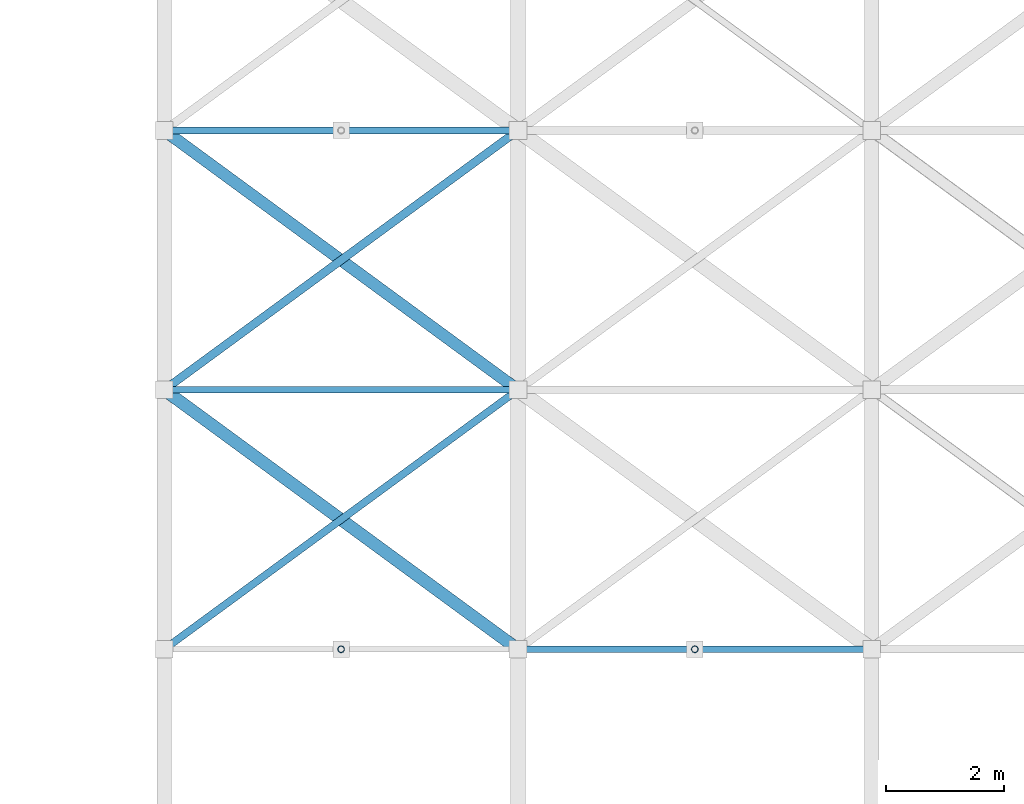
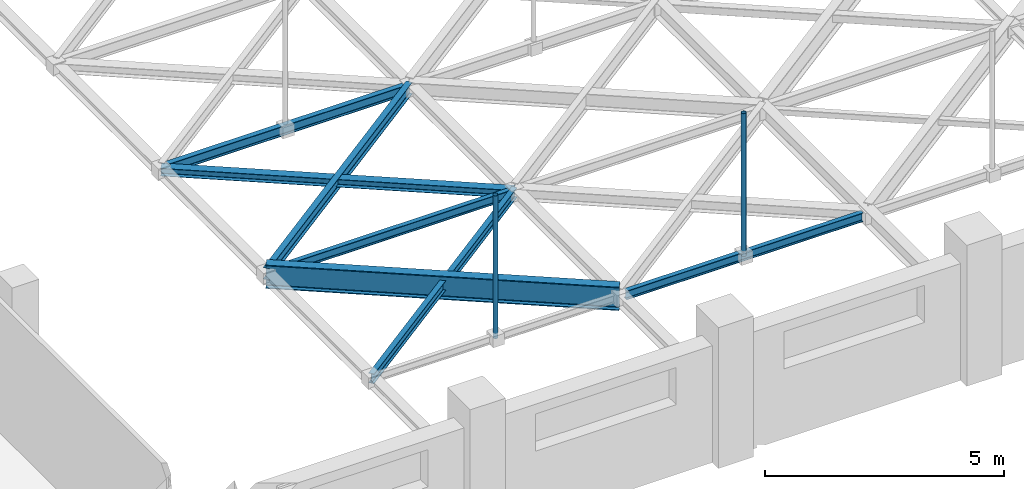
# One storey, part 23 of 93: 6 members, 3 beams.
"""IFC4 building model written with IfcOpenShell, lengths in metres."""

from ifc_helpers import new_model, si_unit, direction, frame, origin, origin_2d, place, context, subcontext, project, spatial, hollow_circle, i_section, extrude, material, material_profile, profile_set, type_object, element, save


model = new_model("IFC4")

# Units and contexts
model_context = context("Model", 3, precision=1e-05, world=origin(), true_north=direction((0.0, 1.0)))
body_context = subcontext(model_context, "Body", "Model", "MODEL_VIEW")
ifc_project = project(units=[si_unit("LENGTHUNIT", "METRE"), si_unit("AREAUNIT", "SQUARE_METRE"), si_unit("VOLUMEUNIT", "CUBIC_METRE"), si_unit("PLANEANGLEUNIT", "RADIAN"), si_unit("MASSUNIT", "GRAM", prefix="KILO")], contexts=[model_context])

# Site, building, storey
site_placement = place(None, origin())
site = spatial("IfcSite", under=ifc_project, at=site_placement, CompositionType="ELEMENT")
building_placement = place(site_placement, origin())
building = spatial("IfcBuilding", under=site, at=building_placement, Name="Varnakota Cinema and Media Centre", CompositionType="ELEMENT")
storey_placement = place(building_placement, frame((0.0, 0.0, 12.0)))
storey = spatial("IfcBuildingStorey", under=building, at=storey_placement, Name="L03", CompositionType="ELEMENT", Elevation=12.0)

# Beams
ifc_material_1 = material(Name="Structural steel Grade 350 (E350)", Category="steel")
ifc_material_profile_1 = material_profile(ifc_material_1, i_section(OverallWidth=0.110107421875, OverallDepth=0.22509765625, WebThickness=0.006591796875, FlangeThickness=0.01171875, FilletRadius=0.011962890625, at=origin_2d()), Name="ISMB 225")
ifc_profile_set_1 = profile_set([ifc_material_profile_1], Name="Structural steel Grade 350 (E350)")
beam_type_1 = type_object("IfcBeamType", Name="BM-ST-ISMB225", PredefinedType="JOIST", material=ifc_profile_set_1)
for number, where, z_axis, x_axis, name in (
    (1, (81.139892578125, 8.800048828125, 1.300048828125), (1.0, 0.0, 0.0), (0.0, 1.0, 0.0), "V1 rigging beam 2.2"),
    (2, (87.139892578125, 4.39990234375, 1.300048828125), (1.0, 0.0, 0.0), (0.0, 1.0, 0.0), "V1 rigging beam 3.1"),
):
    element("IfcBeam", number, at=place(storey_placement, frame(where, z_axis=z_axis, x_axis=x_axis)), inside=storey, type_object=beam_type_1, Name=name, PredefinedType="JOIST", context=body_context, shape_type="SweptSolid", body=[
        extrude(i_section(OverallWidth=0.110107421875, OverallDepth=0.22509765625, WebThickness=0.006591796875, FlangeThickness=0.01171875, FilletRadius=0.011962890625, at=origin_2d()), origin(), (0.0, 0.0, 1.0), 5.72021484375),
    ])
ifc_material_2 = material(Name="Structural steel Grade 350 (E350)", Category="steel")
ifc_material_profile_2 = material_profile(ifc_material_2, i_section(OverallWidth=0.125, OverallDepth=0.25, WebThickness=0.0068359375, FlangeThickness=0.012451171875, FilletRadius=0.012939453125, at=origin_2d()), Name="ISMB 250")
ifc_profile_set_2 = profile_set([ifc_material_profile_2], Name="Structural steel Grade 350 (E350)")
beam_type_2 = type_object("IfcBeamType", Name="BM-ST-ISMB250", PredefinedType="JOIST", material=ifc_profile_set_2)
beam_placement = place(storey_placement, frame((81.139892578125, 13.199951171875, 1.300048828125), z_axis=(1.0, 0.0, 0.0), x_axis=(0.0, 1.0, 0.0)))
element("IfcBeam", 3, at=beam_placement, inside=storey, type_object=beam_type_2, Name="V1 rigging beam 2.3", PredefinedType="JOIST", context=body_context, shape_type="SweptSolid", body=[
    extrude(i_section(OverallWidth=0.125, OverallDepth=0.25, WebThickness=0.0068359375, FlangeThickness=0.012451171875, FilletRadius=0.012939453125, at=origin_2d()), origin(), (0.0, 0.0, 1.0), 5.72021484375),
])

# Members
ifc_material_3 = material(Name="Structural steel S355 (YSt 355)", Category="steel")
ifc_material_profile_3 = material_profile(ifc_material_3, hollow_circle(Radius=0.05712890625, WallThickness=0.00537109375, at=origin_2d()), Name="CHS 114.3x5.4")
ifc_profile_set_3 = profile_set([ifc_material_profile_3], Name="Structural steel S355 (YSt 355)")
member_type_1 = type_object("IfcMemberType", Name="MEM-ST-CHS114_3x5_4", PredefinedType="BRACE", material=ifc_profile_set_3)
for number, where, z_axis, x_axis, name in (
    (4, (84.0, 4.39990234375, 1.300048828125), (0.0, 0.0, 1.0), (1.0, 0.0, 0.0), "V1 rigging hanger 2.1"),
    (5, (90.0, 4.39990234375, 1.300048828125), (0.0, 0.0, 1.0), (1.0, 0.0, 0.0), "V1 rigging hanger 3.1"),
):
    element("IfcMember", number, at=place(storey_placement, frame(where, z_axis=z_axis, x_axis=x_axis)), inside=storey, type_object=member_type_1, Name=name, PredefinedType="BRACE", context=body_context, shape_type="SweptSolid", body=[
        extrude(hollow_circle(Radius=0.05712890625, WallThickness=0.00537109375, at=origin_2d()), origin(), (0.0, 0.0, 1.0), 3.64990234375),
    ])
ifc_material_4 = material(Name="Structural steel Grade 350 (E350)", Category="steel")
ifc_material_profile_4 = material_profile(ifc_material_4, i_section(OverallWidth=0.199951171875, OverallDepth=0.199951171875, WebThickness=0.0078125, FlangeThickness=0.009033203125, FilletRadius=0.009033203125, at=origin_2d()), Name="ISHB 200")
ifc_profile_set_4 = profile_set([ifc_material_profile_4], Name="Structural steel Grade 350 (E350)")
member_type_2 = type_object("IfcMemberType", Name="MEM-ST-ISHB200", PredefinedType="CHORD", material=ifc_profile_set_4)
member_1_placement = place(storey_placement, frame((87.0, 8.800048828125, 1.300048828125), z_axis=(-0.80641125493, 0.591355128432, 0.0), x_axis=(-0.591355128432, -0.80641125493, 0.0)))
element("IfcMember", 6, at=member_1_placement, inside=storey, type_object=member_type_2, Name="V1 rigging plan member B 2.2", PredefinedType="CHORD", context=body_context, shape_type="SweptSolid", body=[
    extrude(i_section(OverallWidth=0.199951171875, OverallDepth=0.199951171875, WebThickness=0.0078125, FlangeThickness=0.009033203125, FilletRadius=0.009033203125, at=origin_2d()), origin(), (0.0, 0.0, 1.0), 7.4404296875),
])
ifc_material_5 = material(Name="Structural steel Grade 350 (E350)", Category="steel")
ifc_material_profile_5 = material_profile(ifc_material_5, i_section(OverallWidth=0.125, OverallDepth=0.25, WebThickness=0.0068359375, FlangeThickness=0.012451171875, FilletRadius=0.012939453125, at=origin_2d()), Name="ISMB 250")
ifc_profile_set_5 = profile_set([ifc_material_profile_5], Name="Structural steel Grade 350 (E350)")
member_type_3 = type_object("IfcMemberType", Name="MEM-ST-ISMB250", PredefinedType="RAFTER", material=ifc_profile_set_5)
member_2_placement = place(storey_placement, frame((81.0, 4.39990234375, 1.300048828125), z_axis=(0.806395607258, 0.591376466048, 0.0), x_axis=(-0.591376466048, 0.806395607258, 0.0)))
element("IfcMember", 7, at=member_2_placement, inside=storey, type_object=member_type_3, Name="V1 rigging plan member A 2.1", PredefinedType="RAFTER", context=body_context, shape_type="SweptSolid", body=[
    extrude(i_section(OverallWidth=0.125, OverallDepth=0.25, WebThickness=0.0068359375, FlangeThickness=0.012451171875, FilletRadius=0.012939453125, at=origin_2d()), origin(), (0.0, 0.0, 1.0), 7.4404296875),
])
ifc_material_6 = material(Name="Structural steel Grade 350 (E350)", Category="steel")
ifc_material_profile_6 = material_profile(ifc_material_6, i_section(OverallWidth=0.139892578125, OverallDepth=0.300048828125, WebThickness=0.0078125, FlangeThickness=0.01318359375, FilletRadius=0.013916015625, at=origin_2d()), Name="ISMB 300")
ifc_profile_set_6 = profile_set([ifc_material_profile_6], Name="Structural steel Grade 350 (E350)")
member_type_4 = type_object("IfcMemberType", Name="MEM-ST-ISMB300", PredefinedType="RAFTER", material=ifc_profile_set_6)
member_3_placement = place(storey_placement, frame((81.0, 8.800048828125, 1.300048828125), z_axis=(0.80641125493, 0.591355128432, 0.0), x_axis=(-0.591355128432, 0.80641125493, 0.0)))
element("IfcMember", 8, at=member_3_placement, inside=storey, type_object=member_type_4, Name="V1 rigging plan member A 2.2", PredefinedType="RAFTER", context=body_context, shape_type="SweptSolid", body=[
    extrude(i_section(OverallWidth=0.139892578125, OverallDepth=0.300048828125, WebThickness=0.0078125, FlangeThickness=0.01318359375, FilletRadius=0.013916015625, at=origin_2d()), origin(), (0.0, 0.0, 1.0), 7.4404296875),
])
ifc_material_7 = material(Name="Structural steel Grade 350 (E350)", Category="steel")
ifc_material_profile_7 = material_profile(ifc_material_7, i_section(OverallWidth=0.2099609375, OverallDepth=0.60009765625, WebThickness=0.011962890625, FlangeThickness=0.020751953125, FilletRadius=0.02001953125, at=origin_2d()), Name="ISMB 600")
ifc_profile_set_7 = profile_set([ifc_material_profile_7], Name="Structural steel Grade 350 (E350)")
member_type_5 = type_object("IfcMemberType", Name="MEM-ST-ISMB600", PredefinedType="RAFTER", material=ifc_profile_set_7)
member_4_placement = place(storey_placement, frame((87.0, 4.39990234375, 1.300048828125), z_axis=(-0.806395607258, 0.591376466048, 0.0), x_axis=(-0.591376466048, -0.806395607258, 0.0)))
element("IfcMember", 9, at=member_4_placement, inside=storey, type_object=member_type_5, Name="V1 rigging plan member B 2.1", PredefinedType="RAFTER", context=body_context, shape_type="SweptSolid", body=[
    extrude(i_section(OverallWidth=0.2099609375, OverallDepth=0.60009765625, WebThickness=0.011962890625, FlangeThickness=0.020751953125, FilletRadius=0.02001953125, at=origin_2d()), origin(), (0.0, 0.0, 1.0), 7.4404296875),
])

save(model, "model.ifc")
